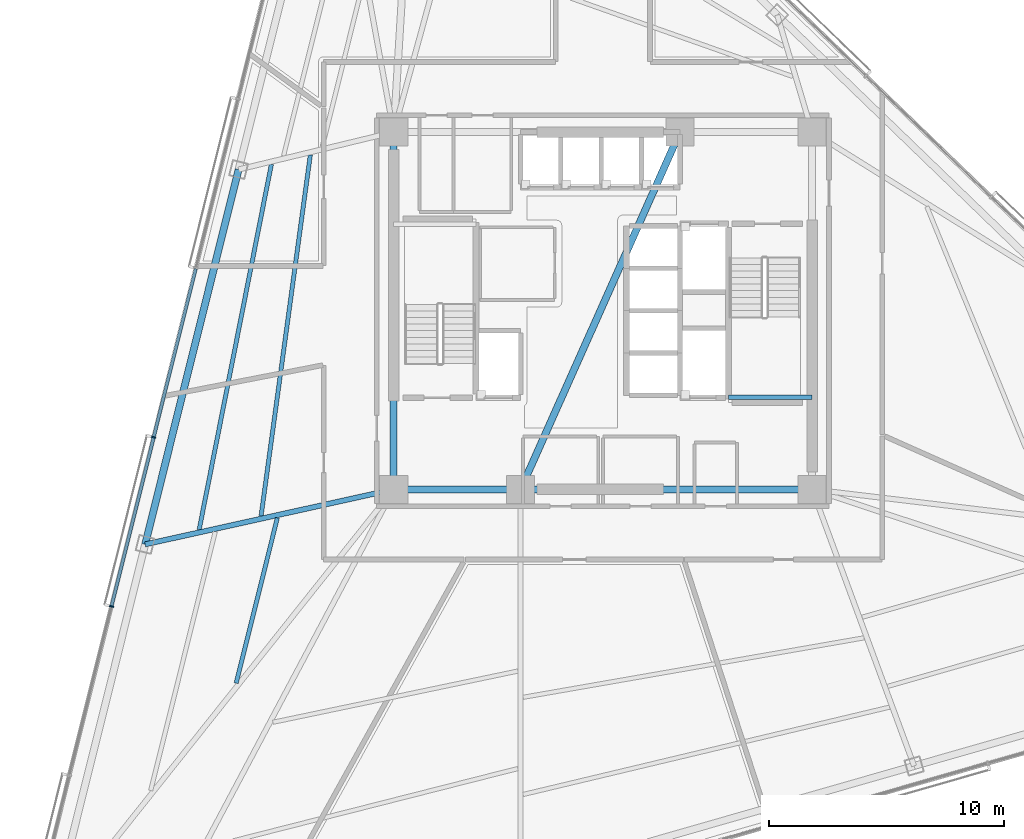
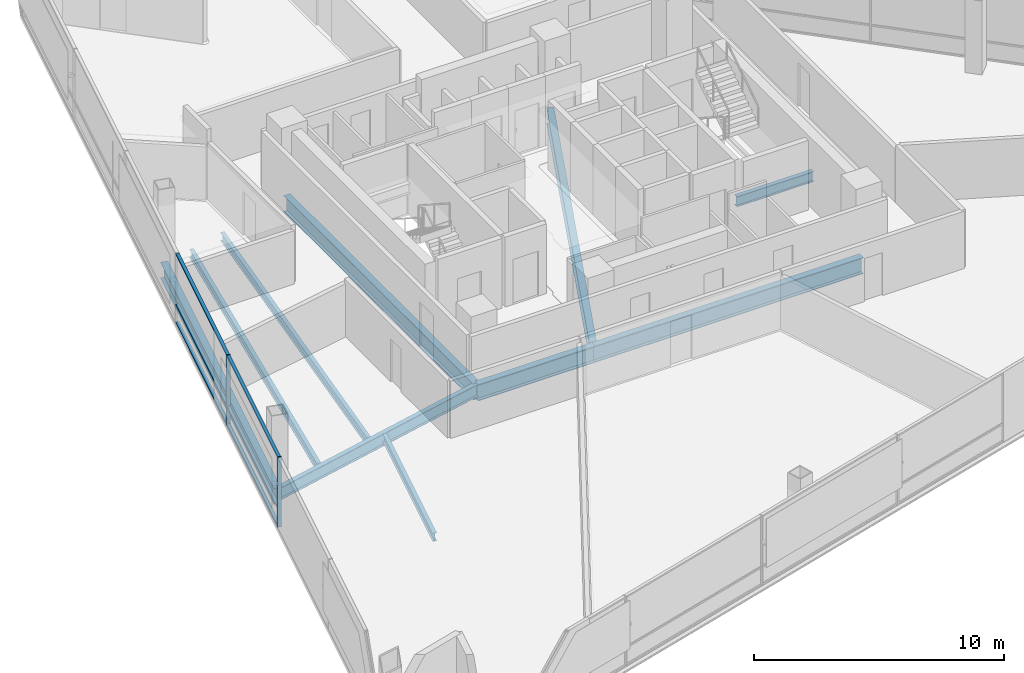
# One storey, part 4 of 17: 10 beams, 8 members, 1 element without a shape of its own.
"""IFC4 building model written with IfcOpenShell, lengths in metres."""

from ifc_helpers import new_model, si_unit, direction, frame, origin, origin_2d, place, context, subcontext, project, spatial, rectangle, i_section, extrude, material, layer, layer_set, material_profile, profile_set, type_object, element, aggregate, save


model = new_model("IFC4")

# Units and contexts
model_context = context("Model", 3, precision=1e-05, world=origin(), true_north=direction((0.0, 1.0)))
body_context = subcontext(model_context, "Body", "Model", "MODEL_VIEW")
ifc_project = project(units=[si_unit("LENGTHUNIT", "METRE"), si_unit("AREAUNIT", "SQUARE_METRE"), si_unit("VOLUMEUNIT", "CUBIC_METRE"), si_unit("PLANEANGLEUNIT", "RADIAN"), si_unit("MASSUNIT", "GRAM", prefix="KILO")], contexts=[model_context])

# Site, building, storey
site_placement = place(None, origin())
site = spatial("IfcSite", under=ifc_project, at=site_placement, CompositionType="ELEMENT")
building_placement = place(site_placement, origin())
building = spatial("IfcBuilding", under=site, at=building_placement, Name="Tharavind Bronze Gate", CompositionType="ELEMENT")
storey_placement = place(building_placement, frame((0.0, 0.0, 96.89990234375)))
storey = spatial("IfcBuildingStorey", under=building, at=storey_placement, Name="L24", CompositionType="ELEMENT", Elevation=96.89990234375)

# Curtain wall, members
ifc_material_1 = material(Name="Anodised Bronze Aluminium", Category="aluminium")
ifc_layer = layer(ifc_material_1, 0.219970703125)
ifc_layer_set = layer_set([ifc_layer], Name="Anodised Bronze Aluminium")
curtain_wall_type = type_object("IfcCurtainWallType", Name="UNITISED CURTAIN WALL LOWER OFFICE", PredefinedType="USERDEFINED", material=ifc_layer_set)
curtain_wall_placement = place(storey_placement, origin())
curtain_wall = element("IfcCurtainWall", 1, at=curtain_wall_placement, inside=storey, type_object=curtain_wall_type, Name="L24 unitised curtain wall lower office CW-L24-S1", ObjectType="UNITISED CURTAIN WALL", PredefinedType="USERDEFINED")
member_type_1 = type_object("IfcMemberType", Name="CURTAIN WALL BRONZE MULLION 65X180", PredefinedType="MULLION", material=ifc_material_1)
member_1_placement = place(storey_placement, frame((-19.1083984375, -5.381591796875, 0.0), z_axis=(0.0, 0.0, 1.0), x_axis=(-0.2419218956, -0.970295726276, 0.0)))
member_1 = element("IfcMember", 2, at=member_1_placement, type_object=member_type_1, Name="CW-L24-S1 mullion 5", PredefinedType="MULLION", context=body_context, shape_type="SweptSolid", body=[
    extrude(rectangle(XDim=0.06494140625, YDim=0.179931640625, at=origin_2d()), origin(), (0.0, 0.0, 1.0), 3.409912109375),
])
member_2_placement = place(storey_placement, frame((-20.902099609375, -12.57568359375, 0.0), z_axis=(0.0, 0.0, 1.0), x_axis=(-0.2419218956, -0.970295726276, 0.0)))
member_2 = element("IfcMember", 3, at=member_2_placement, type_object=member_type_1, Name="CW-L24-S1 mullion 6", PredefinedType="MULLION", context=body_context, shape_type="SweptSolid", body=[
    extrude(rectangle(XDim=0.06494140625, YDim=0.179931640625, at=origin_2d()), origin(), (0.0, 0.0, 1.0), 3.409912109375),
])
member_type_2 = type_object("IfcMemberType", Name="CURTAIN WALL BRONZE TRANSOM 65X140", PredefinedType="USERDEFINED", material=ifc_material_1)
member_3_placement = place(storey_placement, frame((-18.21142578125, -1.78466796875, 0.000244140625), z_axis=(0.0, 0.0, 1.0), x_axis=(-0.2419218956, -0.970295726276, 0.0)))
member_3 = element("IfcMember", 4, at=member_3_placement, type_object=member_type_2, Name="CW-L24-S1 transom TB4", ObjectType="TRANSOM", PredefinedType="USERDEFINED", context=body_context, shape_type="SweptSolid", body=[
    extrude(rectangle(XDim=7.361083984375, YDim=0.139892578125, at=origin_2d()), origin(), (0.0, 0.0, 1.0), 0.06494140625),
])
member_4_placement = place(storey_placement, frame((-18.21142578125, -1.78466796875, 0.86767578125), z_axis=(0.0, 0.0, 1.0), x_axis=(-0.2419218956, -0.970295726276, 0.0)))
member_4 = element("IfcMember", 5, at=member_4_placement, type_object=member_type_2, Name="CW-L24-S1 transom TS4", ObjectType="TRANSOM", PredefinedType="USERDEFINED", context=body_context, shape_type="SweptSolid", body=[
    extrude(rectangle(XDim=7.361083984375, YDim=0.139892578125, at=origin_2d()), origin(), (0.0, 0.0, 1.0), 0.06494140625),
])
member_5_placement = place(storey_placement, frame((-18.21142578125, -1.78466796875, 3.34521484375), z_axis=(0.0, 0.0, 1.0), x_axis=(-0.2419218956, -0.970295726276, 0.0)))
member_5 = element("IfcMember", 6, at=member_5_placement, type_object=member_type_2, Name="CW-L24-S1 transom TT4", ObjectType="TRANSOM", PredefinedType="USERDEFINED", context=body_context, shape_type="SweptSolid", body=[
    extrude(rectangle(XDim=7.361083984375, YDim=0.139892578125, at=origin_2d()), origin(), (0.0, 0.0, 1.0), 0.06494140625),
])
member_6_placement = place(storey_placement, frame((-20.005126953125, -8.978759765625, 0.000244140625), z_axis=(0.0, 0.0, 1.0), x_axis=(-0.2419218956, -0.970295726276, 0.0)))
member_6 = element("IfcMember", 7, at=member_6_placement, type_object=member_type_2, Name="CW-L24-S1 transom TB5", ObjectType="TRANSOM", PredefinedType="USERDEFINED", context=body_context, shape_type="SweptSolid", body=[
    extrude(rectangle(XDim=7.361083984375, YDim=0.139892578125, at=origin_2d()), origin(), (0.0, 0.0, 1.0), 0.06494140625),
])
member_7_placement = place(storey_placement, frame((-20.005126953125, -8.978759765625, 0.86767578125), z_axis=(0.0, 0.0, 1.0), x_axis=(-0.2419218956, -0.970295726276, 0.0)))
member_7 = element("IfcMember", 8, at=member_7_placement, type_object=member_type_2, Name="CW-L24-S1 transom TS5", ObjectType="TRANSOM", PredefinedType="USERDEFINED", context=body_context, shape_type="SweptSolid", body=[
    extrude(rectangle(XDim=7.361083984375, YDim=0.139892578125, at=origin_2d()), origin(), (0.0, 0.0, 1.0), 0.06494140625),
])
member_8_placement = place(storey_placement, frame((-20.005126953125, -8.978759765625, 3.34521484375), z_axis=(0.0, 0.0, 1.0), x_axis=(-0.2419218956, -0.970295726276, 0.0)))
member_8 = element("IfcMember", 9, at=member_8_placement, type_object=member_type_2, Name="CW-L24-S1 transom TT5", ObjectType="TRANSOM", PredefinedType="USERDEFINED", context=body_context, shape_type="SweptSolid", body=[
    extrude(rectangle(XDim=7.361083984375, YDim=0.139892578125, at=origin_2d()), origin(), (0.0, 0.0, 1.0), 0.06494140625),
])
aggregate(curtain_wall, [member_1, member_2, member_3, member_4, member_5, member_6, member_7, member_8])

# Beams
ifc_material_2 = material(Name="Steel S355", Category="steel")
ifc_material_profile_1 = material_profile(ifc_material_2, i_section(OverallWidth=0.199951171875, OverallDepth=0.5, WebThickness=0.01025390625, FlangeThickness=0.01611328125, at=origin_2d()), Name="IPE500")
ifc_profile_set_1 = profile_set([ifc_material_profile_1], Name="Steel S355")
beam_type_1 = type_object("IfcBeamType", Name="PRIMARY GIRDER IPE500", PredefinedType="USERDEFINED", material=ifc_profile_set_1)
beam_1_placement = place(storey_placement, frame((5.35009765625, -3.679931640625, 1.35009765625), z_axis=(1.0, 0.0, 0.0), x_axis=(0.0, 1.0, 0.0)))
element("IfcBeam", 10, at=beam_1_placement, inside=storey, type_object=beam_type_1, Name="L24 primary girder ipe500 BM-LD-ST2-L24-1", ObjectType="GIRDER", PredefinedType="USERDEFINED", context=body_context, shape_type="SweptSolid", body=[
    extrude(i_section(OverallWidth=0.199951171875, OverallDepth=0.5, WebThickness=0.01025390625, FlangeThickness=0.01611328125, at=origin_2d()), origin(), (0.0, 0.0, 1.0), 3.5498046875),
])
ifc_material_profile_2 = material_profile(ifc_material_2, i_section(OverallWidth=0.219970703125, OverallDepth=0.60009765625, WebThickness=0.011962890625, FlangeThickness=0.01904296875, at=origin_2d()), Name="IPE600")
ifc_profile_set_2 = profile_set([ifc_material_profile_2], Name="Steel S355")
beam_type_2 = type_object("IfcBeamType", Name="PRIMARY GIRDER IPE600", PredefinedType="USERDEFINED", material=ifc_profile_set_2)
beam_2_placement = place(storey_placement, frame((-19.4716796875, -9.93896484375, -0.489990234375), z_axis=(0.97639036101, 0.216013571162, 0.0), x_axis=(-0.216013571162, 0.97639036101, 0.0)))
element("IfcBeam", 11, at=beam_2_placement, inside=storey, type_object=beam_type_2, Name="L24 primary girder ipe600 BM-L24-RAD03", ObjectType="GIRDER", PredefinedType="USERDEFINED", context=body_context, shape_type="SweptSolid", body=[
    extrude(i_section(OverallWidth=0.219970703125, OverallDepth=0.60009765625, WebThickness=0.011962890625, FlangeThickness=0.01904296875, at=origin_2d()), origin(), (0.0, 0.0, 1.0), 10.827392578125),
])
ifc_material_profile_3 = material_profile(ifc_material_2, i_section(OverallWidth=0.300048828125, OverallDepth=0.800048828125, WebThickness=0.017578125, FlangeThickness=0.032958984375, at=origin_2d()), Name="HE800B")
ifc_profile_set_3 = profile_set([ifc_material_profile_3], Name="Steel S355")
beam_type_3 = type_object("IfcBeamType", Name="RING GIRDER HE800B", PredefinedType="USERDEFINED", material=ifc_profile_set_3)
beam_3_placement = place(storey_placement, frame((-8.89990234375, -7.60009765625, -0.58984375), z_axis=(1.0, 0.0, 0.0), x_axis=(0.0, 1.0, 0.0)))
element("IfcBeam", 12, at=beam_3_placement, inside=storey, type_object=beam_type_3, Name="L24 ring girder he800b BM-L24-CR1", ObjectType="GIRDER", PredefinedType="USERDEFINED", context=body_context, shape_type="SweptSolid", body=[
    extrude(i_section(OverallWidth=0.300048828125, OverallDepth=0.800048828125, WebThickness=0.017578125, FlangeThickness=0.032958984375, at=origin_2d()), origin(), (0.0, 0.0, 1.0), 5.39990234375),
])
beam_4_placement = place(storey_placement, frame((-3.5, -7.60009765625, -0.58984375), z_axis=(1.0, 0.0, 0.0), x_axis=(0.0, 1.0, 0.0)))
element("IfcBeam", 13, at=beam_4_placement, inside=storey, type_object=beam_type_3, Name="L24 ring girder he800b BM-L24-CR2", ObjectType="GIRDER", PredefinedType="USERDEFINED", context=body_context, shape_type="SweptSolid", body=[
    extrude(i_section(OverallWidth=0.300048828125, OverallDepth=0.800048828125, WebThickness=0.017578125, FlangeThickness=0.032958984375, at=origin_2d()), origin(), (0.0, 0.0, 1.0), 12.39990234375),
])
beam_5_placement = place(storey_placement, frame((-8.89990234375, 7.60009765625, -0.58984375), z_axis=(0.0, -1.0, 0.0), x_axis=(1.0, 0.0, 0.0)))
element("IfcBeam", 14, at=beam_5_placement, inside=storey, type_object=beam_type_3, Name="L24 ring girder he800b BM-L24-CR6", ObjectType="GIRDER", PredefinedType="USERDEFINED", context=body_context, shape_type="SweptSolid", body=[
    extrude(i_section(OverallWidth=0.300048828125, OverallDepth=0.800048828125, WebThickness=0.017578125, FlangeThickness=0.032958984375, at=origin_2d()), origin(), (0.0, 0.0, 1.0), 15.2001953125),
])
beam_6_placement = place(storey_placement, frame((-3.5, -7.60009765625, -0.58984375), z_axis=(0.407361644566, 0.913266932795, 0.0), x_axis=(-0.913266932795, 0.407361644566, 0.0)))
element("IfcBeam", 15, at=beam_6_placement, inside=storey, type_object=beam_type_3, Name="L24 ring girder he800b BM-L24-CR7", ObjectType="GIRDER", PredefinedType="USERDEFINED", context=body_context, shape_type="SweptSolid", body=[
    extrude(i_section(OverallWidth=0.300048828125, OverallDepth=0.800048828125, WebThickness=0.017578125, FlangeThickness=0.032958984375, at=origin_2d()), origin(), (0.0, 0.0, 1.0), 16.643798828125),
])
beam_7_placement = place(storey_placement, frame((-15.495849609375, 6.006591796875, -0.58984375), z_axis=(-0.241930849107, -0.970293493872, 0.0), x_axis=(0.970293493872, -0.241930849107, 0.0)))
element("IfcBeam", 16, at=beam_7_placement, inside=storey, type_object=beam_type_3, Name="L24 ring girder he800b BM-L24-PRG02", ObjectType="GIRDER", PredefinedType="USERDEFINED", context=body_context, shape_type="SweptSolid", body=[
    extrude(i_section(OverallWidth=0.300048828125, OverallDepth=0.800048828125, WebThickness=0.017578125, FlangeThickness=0.032958984375, at=origin_2d()), origin(), (0.0, 0.0, 1.0), 16.433837890625),
])
ifc_material_profile_4 = material_profile(ifc_material_2, i_section(OverallWidth=0.179931640625, OverallDepth=0.39990234375, WebThickness=0.008544921875, FlangeThickness=0.013427734375, at=origin_2d()), Name="IPE400")
ifc_profile_set_4 = profile_set([ifc_material_profile_4], Name="Steel S355")
beam_type_4 = type_object("IfcBeamType", Name="SECONDARY FLOOR JOIST IPE400", PredefinedType="JOIST", material=ifc_profile_set_4)
beam_8_placement = place(storey_placement, frame((-12.4453125, 6.626708984375, -0.389892578125), z_axis=(-0.135096335488, -0.99083246825, 0.0), x_axis=(0.99083246825, -0.135096335488, 0.0)))
element("IfcBeam", 17, at=beam_8_placement, inside=storey, type_object=beam_type_4, Name="L24 secondary floor joist ipe400 BM-L24-JSTA02", PredefinedType="JOIST", context=body_context, shape_type="SweptSolid", body=[
    extrude(i_section(OverallWidth=0.179931640625, OverallDepth=0.39990234375, WebThickness=0.008544921875, FlangeThickness=0.013427734375, at=origin_2d()), origin(), (0.0, 0.0, 1.0), 15.5),
])
beam_9_placement = place(storey_placement, frame((-14.10205078125, 6.2265625, -0.389892578125), z_axis=(-0.193949205751, -0.981011572607, 0.0), x_axis=(0.981011572607, -0.193949205751, 0.0)))
element("IfcBeam", 18, at=beam_9_placement, inside=storey, type_object=beam_type_4, Name="L24 secondary floor joist ipe400 BM-L24-JSTB02", PredefinedType="JOIST", context=body_context, shape_type="SweptSolid", body=[
    extrude(i_section(OverallWidth=0.179931640625, OverallDepth=0.39990234375, WebThickness=0.008544921875, FlangeThickness=0.013427734375, at=origin_2d()), origin(), (0.0, 0.0, 1.0), 15.841796875),
])
beam_10_placement = place(storey_placement, frame((-13.846435546875, -8.810791015625, -0.389892578125), z_axis=(-0.241933025088, -0.970292951315, 0.0), x_axis=(0.970292951315, -0.241933025088, 0.0)))
element("IfcBeam", 19, at=beam_10_placement, inside=storey, type_object=beam_type_4, Name="L24 secondary floor joist ipe400 BM-L24-JSTA03", PredefinedType="JOIST", context=body_context, shape_type="SweptSolid", body=[
    extrude(i_section(OverallWidth=0.179931640625, OverallDepth=0.39990234375, WebThickness=0.008544921875, FlangeThickness=0.013427734375, at=origin_2d()), origin(), (0.0, 0.0, 1.0), 7.24560546875),
])

save(model, "model.ifc")
